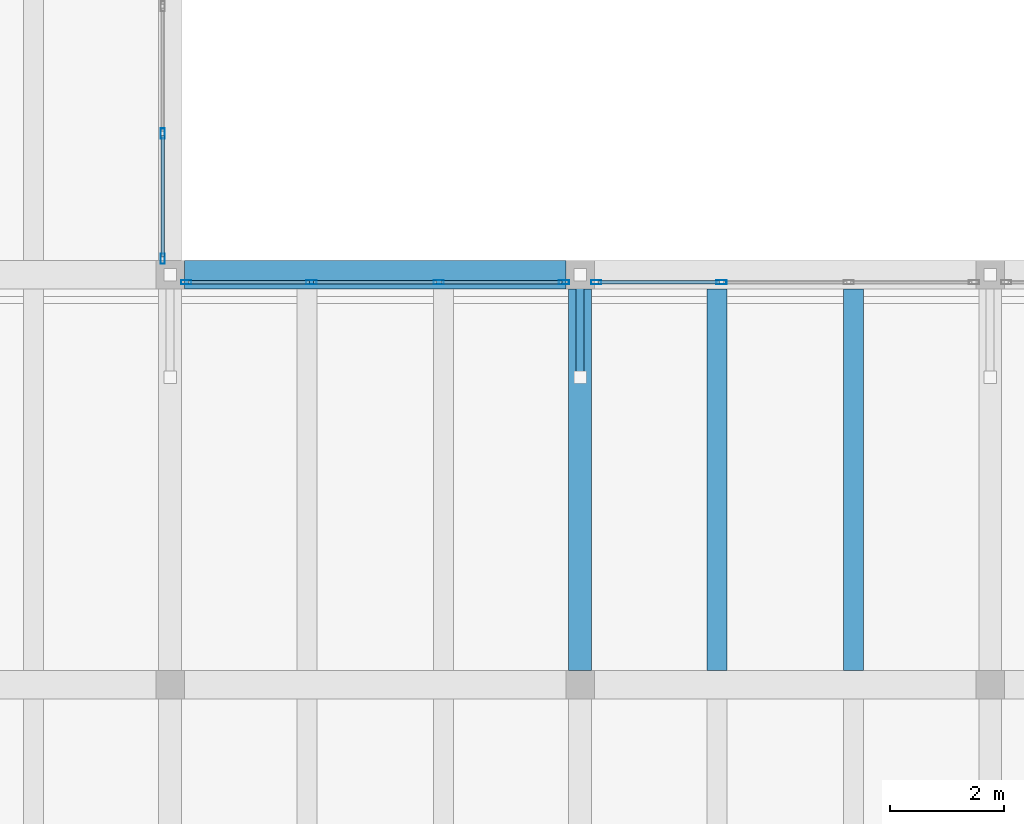
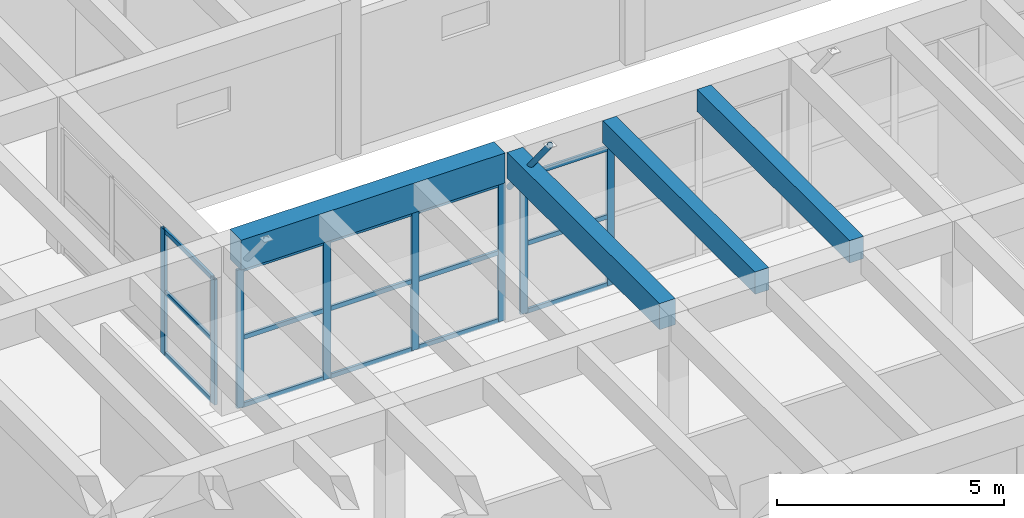
# One storey, part 70 of 153: 24 members, 4 beams, 3 elements without a shape of their own.
"""IFC4 building model written with IfcOpenShell, lengths in metres."""

from ifc_helpers import new_model, si_unit, direction, frame, origin, origin_2d, place, context, subcontext, project, spatial, rectangle, hollow_rectangle, hollow_circle, extrude, material, material_profile, profile_set, type_object, element, aggregate, save


model = new_model("IFC4")

# Units and contexts
model_context = context("Model", 3, precision=1e-05, world=origin(), true_north=direction((0.0, 1.0)))
body_context = subcontext(model_context, "Body", "Model", "MODEL_VIEW")
ifc_project = project(units=[si_unit("LENGTHUNIT", "METRE"), si_unit("AREAUNIT", "SQUARE_METRE"), si_unit("VOLUMEUNIT", "CUBIC_METRE"), si_unit("PLANEANGLEUNIT", "RADIAN"), si_unit("MASSUNIT", "GRAM", prefix="KILO")], contexts=[model_context])

# Site, building, storey
site_placement = place(None, origin())
site = spatial("IfcSite", under=ifc_project, at=site_placement, CompositionType="ELEMENT")
building_placement = place(site_placement, origin())
building = spatial("IfcBuilding", under=site, at=building_placement, Name="Bramvelor Terrace Health Centre", CompositionType="ELEMENT")
storey_placement = place(building_placement, frame((0.0, 0.0, 4.800048828125)))
storey = spatial("IfcBuildingStorey", under=building, at=storey_placement, Name="L02", CompositionType="ELEMENT", Elevation=4.800048828125)

# Beams
ifc_material_1 = material(Name="Concrete C40/50", Category="concrete")
ifc_material_profile_1 = material_profile(ifc_material_1, rectangle(XDim=0.39990234375, YDim=0.699951171875, at=origin_2d()), Name="RC 400x700")
ifc_profile_set_1 = profile_set([ifc_material_profile_1], Name="Concrete C40/50")
beam_type_1 = type_object("IfcBeamType", Name="BM-RC-G700", PredefinedType="BEAM", material=ifc_profile_set_1)
beam_1_placement = place(storey_placement, frame((57.60009765625, 72.25, 4.199951171875), z_axis=(0.0, 1.0, 0.0), x_axis=(-1.0, 0.0, 0.0)))
element("IfcBeam", 1, at=beam_1_placement, inside=storey, type_object=beam_type_1, Name="L02 Floor Girder", PredefinedType="BEAM", context=body_context, shape_type="SweptSolid", body=[
    extrude(rectangle(XDim=0.39990234375, YDim=0.699951171875, at=origin_2d()), origin(), (0.0, 0.0, 1.0), 6.699951171875),
])
ifc_material_2 = material(Name="Concrete C40/50", Category="concrete")
ifc_material_profile_2 = material_profile(ifc_material_2, rectangle(XDim=0.5, YDim=0.800048828125, at=origin_2d()), Name="RC 500x800")
ifc_profile_set_2 = profile_set([ifc_material_profile_2], Name="Concrete C40/50")
beam_type_2 = type_object("IfcBeamType", Name="BM-RC-G800", PredefinedType="BEAM", material=ifc_profile_set_2)
beam_2_placement = place(storey_placement, frame((50.64990234375, 79.199951171875, 4.14990234375), z_axis=(1.0, 0.0, 0.0), x_axis=(0.0, 1.0, 0.0)))
element("IfcBeam", 2, at=beam_2_placement, inside=storey, type_object=beam_type_2, Name="L02 Floor Girder", PredefinedType="BEAM", context=body_context, shape_type="SweptSolid", body=[
    extrude(rectangle(XDim=0.5, YDim=0.800048828125, at=origin_2d()), origin(), (0.0, 0.0, 1.0), 6.7001953125),
])
ifc_material_3 = material(Name="Concrete C40/50", Category="concrete")
ifc_material_profile_3 = material_profile(ifc_material_3, rectangle(XDim=0.35009765625, YDim=0.60009765625, at=origin_2d()), Name="RC 350x600")
ifc_profile_set_3 = profile_set([ifc_material_profile_3], Name="Concrete C40/50")
beam_type_3 = type_object("IfcBeamType", Name="BM-RC-J600", PredefinedType="JOIST", material=ifc_profile_set_3)
for number, where, z_axis, x_axis, name in (
    (3, (60.0, 72.25, 4.25), (0.0, 1.0, 0.0), (-1.0, 0.0, 0.0), "L02 Secondary Floor Joist"),
    (4, (62.39990234375, 72.25, 4.25), (0.0, 1.0, 0.0), (-1.0, 0.0, 0.0), "L02 Secondary Floor Joist"),
):
    element("IfcBeam", number, at=place(storey_placement, frame(where, z_axis=z_axis, x_axis=x_axis)), inside=storey, type_object=beam_type_3, Name=name, PredefinedType="JOIST", context=body_context, shape_type="SweptSolid", body=[
        extrude(rectangle(XDim=0.35009765625, YDim=0.60009765625, at=origin_2d()), origin(), (0.0, 0.0, 1.0), 6.699951171875),
    ])

# Curtain wall, members
ifc_material_4 = material(Name="Anodized aluminium and double low-E glass", Category="aluminium")
curtain_wall_type_1 = type_object("IfcCurtainWallType", Name="CW-SYS-16", PredefinedType="NOTDEFINED", material=ifc_material_4)
curtain_wall_1_placement = place(storey_placement, origin())
curtain_wall_1 = element("IfcCurtainWall", 5, at=curtain_wall_1_placement, inside=storey, type_object=curtain_wall_type_1, Name="L02 Unitized Curtain Wall 90", PredefinedType="NOTDEFINED")
ifc_material_5 = material(Name="Anodized aluminium 6063-T6", Category="aluminium")
ifc_material_profile_4 = material_profile(ifc_material_5, hollow_rectangle(XDim=0.074951171875, YDim=0.179931640625, WallThickness=0.00341796875, at=origin_2d()), Name="ALU-MUL 75x180x3.5")
ifc_profile_set_4 = profile_set([ifc_material_profile_4], Name="Anodized aluminium 6063-T6")
member_type_1 = type_object("IfcMemberType", Name="CW-MUL-65x180", PredefinedType="MULLION", material=ifc_profile_set_4)
member_1_placement = place(storey_placement, frame((50.27001953125, 81.681640625, 0.0), z_axis=(0.0, 0.0, 1.0), x_axis=(1.0, 0.0, 0.0)))
member_1 = element("IfcMember", 6, at=member_1_placement, type_object=member_type_1, Name="CW-16 mullion 3", PredefinedType="MULLION", context=body_context, shape_type="SweptSolid", body=[
    extrude(hollow_rectangle(XDim=0.074951171875, YDim=0.179931640625, WallThickness=0.00341796875, at=origin_2d()), origin(), (0.0, 0.0, 1.0), 3.35986328125),
])
member_2_placement = place(storey_placement, frame((50.27001953125, 79.482421875, 0.0), z_axis=(0.0, 0.0, 1.0), x_axis=(1.0, 0.0, 0.0)))
member_2 = element("IfcMember", 7, at=member_2_placement, type_object=member_type_1, Name="CW-16 mullion 4", PredefinedType="MULLION", context=body_context, shape_type="SweptSolid", body=[
    extrude(hollow_rectangle(XDim=0.074951171875, YDim=0.179931640625, WallThickness=0.00341796875, at=origin_2d()), origin(), (0.0, 0.0, 1.0), 3.35986328125),
])

ifc_material_6 = material(Name="Anodized aluminium and double low-E glass", Category="aluminium")
curtain_wall_type_2 = type_object("IfcCurtainWallType", Name="CW-SYS-17", PredefinedType="NOTDEFINED", material=ifc_material_6)
curtain_wall_2_placement = place(storey_placement, origin())
curtain_wall_2 = element("IfcCurtainWall", 8, at=curtain_wall_2_placement, inside=storey, type_object=curtain_wall_type_2, Name="L02 Unitized Curtain Wall 91", PredefinedType="NOTDEFINED")
member_3_placement = place(storey_placement, frame((50.6826171875, 79.070068359375, 0.0), z_axis=(0.0, 0.0, 1.0), x_axis=(0.0, 1.0, 0.0)))
member_3 = element("IfcMember", 9, at=member_3_placement, type_object=member_type_1, Name="CW-17 mullion 1", PredefinedType="MULLION", context=body_context, shape_type="SweptSolid", body=[
    extrude(hollow_rectangle(XDim=0.074951171875, YDim=0.179931640625, WallThickness=0.00341796875, at=origin_2d()), origin(), (0.0, 0.0, 1.0), 3.7099609375),
])
member_4_placement = place(storey_placement, frame((52.881591796875, 79.070068359375, 0.0), z_axis=(0.0, 0.0, 1.0), x_axis=(0.0, 1.0, 0.0)))
member_4 = element("IfcMember", 10, at=member_4_placement, type_object=member_type_1, Name="CW-17 mullion 2", PredefinedType="MULLION", context=body_context, shape_type="SweptSolid", body=[
    extrude(hollow_rectangle(XDim=0.074951171875, YDim=0.179931640625, WallThickness=0.00341796875, at=origin_2d()), origin(), (0.0, 0.0, 1.0), 3.7099609375),
])
member_5_placement = place(storey_placement, frame((55.118408203125, 79.070068359375, 0.0), z_axis=(0.0, 0.0, 1.0), x_axis=(0.0, 1.0, 0.0)))
member_5 = element("IfcMember", 11, at=member_5_placement, type_object=member_type_1, Name="CW-17 mullion 3", PredefinedType="MULLION", context=body_context, shape_type="SweptSolid", body=[
    extrude(hollow_rectangle(XDim=0.074951171875, YDim=0.179931640625, WallThickness=0.00341796875, at=origin_2d()), origin(), (0.0, 0.0, 1.0), 3.7099609375),
])
member_6_placement = place(storey_placement, frame((57.3173828125, 79.070068359375, 0.0), z_axis=(0.0, 0.0, 1.0), x_axis=(0.0, 1.0, 0.0)))
member_6 = element("IfcMember", 12, at=member_6_placement, type_object=member_type_1, Name="CW-17 mullion 4", PredefinedType="MULLION", context=body_context, shape_type="SweptSolid", body=[
    extrude(hollow_rectangle(XDim=0.074951171875, YDim=0.179931640625, WallThickness=0.00341796875, at=origin_2d()), origin(), (0.0, 0.0, 1.0), 3.7099609375),
])

curtain_wall_3_placement = place(storey_placement, origin())
curtain_wall_3 = element("IfcCurtainWall", 13, at=curtain_wall_3_placement, inside=storey, type_object=curtain_wall_type_2, Name="L02 Unitized Curtain Wall 92", PredefinedType="NOTDEFINED")
member_7_placement = place(storey_placement, frame((57.882568359375, 79.070068359375, 0.0), z_axis=(0.0, 0.0, 1.0), x_axis=(0.0, 1.0, 0.0)))
member_7 = element("IfcMember", 14, at=member_7_placement, type_object=member_type_1, Name="CW-17 mullion 1", PredefinedType="MULLION", context=body_context, shape_type="SweptSolid", body=[
    extrude(hollow_rectangle(XDim=0.074951171875, YDim=0.179931640625, WallThickness=0.00341796875, at=origin_2d()), origin(), (0.0, 0.0, 1.0), 3.7099609375),
])
member_8_placement = place(storey_placement, frame((60.081787109375, 79.070068359375, 0.0), z_axis=(0.0, 0.0, 1.0), x_axis=(0.0, 1.0, 0.0)))
member_8 = element("IfcMember", 15, at=member_8_placement, type_object=member_type_1, Name="CW-17 mullion 2", PredefinedType="MULLION", context=body_context, shape_type="SweptSolid", body=[
    extrude(hollow_rectangle(XDim=0.074951171875, YDim=0.179931640625, WallThickness=0.00341796875, at=origin_2d()), origin(), (0.0, 0.0, 1.0), 3.7099609375),
])

# Member
ifc_material_7 = material(Name="Anodized aluminium 6063-T6", Category="aluminium")
ifc_material_profile_5 = material_profile(ifc_material_7, hollow_rectangle(XDim=0.06494140625, YDim=0.1201171875, WallThickness=0.0029296875, at=origin_2d()), Name="ALU-TRN 65x120x3.0")
ifc_profile_set_5 = profile_set([ifc_material_profile_5], Name="Anodized aluminium 6063-T6")
member_type_2 = type_object("IfcMemberType", Name="CW-TRN-65x150", PredefinedType="USERDEFINED", material=ifc_profile_set_5)
member_9_placement = place(storey_placement, frame((50.27001953125, 81.644287109375, 0.032470703125), z_axis=(0.0, -1.0, 0.0), x_axis=(1.0, 0.0, 0.0)))
member_9 = element("IfcMember", 16, at=member_9_placement, type_object=member_type_2, Name="CW-16 transom 3.1", ObjectType="TRANSOM", PredefinedType="USERDEFINED", context=body_context, shape_type="SweptSolid", body=[
    extrude(hollow_rectangle(XDim=0.06494140625, YDim=0.1201171875, WallThickness=0.0029296875, at=origin_2d()), origin(), (0.0, 0.0, 1.0), 2.124267578125),
])

member_10_placement = place(storey_placement, frame((50.27001953125, 81.644287109375, 1.679931640625), z_axis=(0.0, -1.0, 0.0), x_axis=(1.0, 0.0, 0.0)))
member_10 = element("IfcMember", 17, at=member_10_placement, type_object=member_type_2, Name="CW-16 transom 3.2", ObjectType="TRANSOM", PredefinedType="USERDEFINED", context=body_context, shape_type="SweptSolid", body=[
    extrude(hollow_rectangle(XDim=0.06494140625, YDim=0.1201171875, WallThickness=0.0029296875, at=origin_2d()), origin(), (0.0, 0.0, 1.0), 2.124267578125),
])

member_11_placement = place(storey_placement, frame((50.27001953125, 81.644287109375, 3.327392578125), z_axis=(0.0, -1.0, 0.0), x_axis=(1.0, 0.0, 0.0)))
member_11 = element("IfcMember", 18, at=member_11_placement, type_object=member_type_2, Name="CW-16 transom 3.3", ObjectType="TRANSOM", PredefinedType="USERDEFINED", context=body_context, shape_type="SweptSolid", body=[
    extrude(hollow_rectangle(XDim=0.06494140625, YDim=0.1201171875, WallThickness=0.0029296875, at=origin_2d()), origin(), (0.0, 0.0, 1.0), 2.124267578125),
])

aggregate(curtain_wall_1, [member_1, member_2, member_9, member_10, member_11])

member_12_placement = place(storey_placement, frame((50.719970703125, 79.070068359375, 0.032470703125), z_axis=(1.0, 0.0, 0.0), x_axis=(0.0, 1.0, 0.0)))
member_12 = element("IfcMember", 19, at=member_12_placement, type_object=member_type_2, Name="CW-17 transom 1.1", ObjectType="TRANSOM", PredefinedType="USERDEFINED", context=body_context, shape_type="SweptSolid", body=[
    extrude(hollow_rectangle(XDim=0.06494140625, YDim=0.1201171875, WallThickness=0.0029296875, at=origin_2d()), origin(), (0.0, 0.0, 1.0), 2.124267578125),
])

member_13_placement = place(storey_placement, frame((50.719970703125, 79.070068359375, 1.85498046875), z_axis=(1.0, 0.0, 0.0), x_axis=(0.0, 1.0, 0.0)))
member_13 = element("IfcMember", 20, at=member_13_placement, type_object=member_type_2, Name="CW-17 transom 1.2", ObjectType="TRANSOM", PredefinedType="USERDEFINED", context=body_context, shape_type="SweptSolid", body=[
    extrude(hollow_rectangle(XDim=0.06494140625, YDim=0.1201171875, WallThickness=0.0029296875, at=origin_2d()), origin(), (0.0, 0.0, 1.0), 2.124267578125),
])

member_14_placement = place(storey_placement, frame((50.719970703125, 79.070068359375, 3.677490234375), z_axis=(1.0, 0.0, 0.0), x_axis=(0.0, 1.0, 0.0)))
member_14 = element("IfcMember", 21, at=member_14_placement, type_object=member_type_2, Name="CW-17 transom 1.3", ObjectType="TRANSOM", PredefinedType="USERDEFINED", context=body_context, shape_type="SweptSolid", body=[
    extrude(hollow_rectangle(XDim=0.06494140625, YDim=0.1201171875, WallThickness=0.0029296875, at=origin_2d()), origin(), (0.0, 0.0, 1.0), 2.124267578125),
])

member_15_placement = place(storey_placement, frame((52.919189453125, 79.070068359375, 0.032470703125), z_axis=(1.0, 0.0, 0.0), x_axis=(0.0, 1.0, 0.0)))
member_15 = element("IfcMember", 22, at=member_15_placement, type_object=member_type_2, Name="CW-17 transom 2.1", ObjectType="TRANSOM", PredefinedType="USERDEFINED", context=body_context, shape_type="SweptSolid", body=[
    extrude(hollow_rectangle(XDim=0.06494140625, YDim=0.1201171875, WallThickness=0.0029296875, at=origin_2d()), origin(), (0.0, 0.0, 1.0), 2.16162109375),
])

member_16_placement = place(storey_placement, frame((52.919189453125, 79.070068359375, 1.85498046875), z_axis=(1.0, 0.0, 0.0), x_axis=(0.0, 1.0, 0.0)))
member_16 = element("IfcMember", 23, at=member_16_placement, type_object=member_type_2, Name="CW-17 transom 2.2", ObjectType="TRANSOM", PredefinedType="USERDEFINED", context=body_context, shape_type="SweptSolid", body=[
    extrude(hollow_rectangle(XDim=0.06494140625, YDim=0.1201171875, WallThickness=0.0029296875, at=origin_2d()), origin(), (0.0, 0.0, 1.0), 2.16162109375),
])

member_17_placement = place(storey_placement, frame((52.919189453125, 79.070068359375, 3.677490234375), z_axis=(1.0, 0.0, 0.0), x_axis=(0.0, 1.0, 0.0)))
member_17 = element("IfcMember", 24, at=member_17_placement, type_object=member_type_2, Name="CW-17 transom 2.3", ObjectType="TRANSOM", PredefinedType="USERDEFINED", context=body_context, shape_type="SweptSolid", body=[
    extrude(hollow_rectangle(XDim=0.06494140625, YDim=0.1201171875, WallThickness=0.0029296875, at=origin_2d()), origin(), (0.0, 0.0, 1.0), 2.16162109375),
])

member_18_placement = place(storey_placement, frame((55.15576171875, 79.070068359375, 0.032470703125), z_axis=(1.0, 0.0, 0.0), x_axis=(0.0, 1.0, 0.0)))
member_18 = element("IfcMember", 25, at=member_18_placement, type_object=member_type_2, Name="CW-17 transom 3.1", ObjectType="TRANSOM", PredefinedType="USERDEFINED", context=body_context, shape_type="SweptSolid", body=[
    extrude(hollow_rectangle(XDim=0.06494140625, YDim=0.1201171875, WallThickness=0.0029296875, at=origin_2d()), origin(), (0.0, 0.0, 1.0), 2.124267578125),
])

member_19_placement = place(storey_placement, frame((55.15576171875, 79.070068359375, 1.85498046875), z_axis=(1.0, 0.0, 0.0), x_axis=(0.0, 1.0, 0.0)))
member_19 = element("IfcMember", 26, at=member_19_placement, type_object=member_type_2, Name="CW-17 transom 3.2", ObjectType="TRANSOM", PredefinedType="USERDEFINED", context=body_context, shape_type="SweptSolid", body=[
    extrude(hollow_rectangle(XDim=0.06494140625, YDim=0.1201171875, WallThickness=0.0029296875, at=origin_2d()), origin(), (0.0, 0.0, 1.0), 2.124267578125),
])

member_20_placement = place(storey_placement, frame((55.15576171875, 79.070068359375, 3.677490234375), z_axis=(1.0, 0.0, 0.0), x_axis=(0.0, 1.0, 0.0)))
member_20 = element("IfcMember", 27, at=member_20_placement, type_object=member_type_2, Name="CW-17 transom 3.3", ObjectType="TRANSOM", PredefinedType="USERDEFINED", context=body_context, shape_type="SweptSolid", body=[
    extrude(hollow_rectangle(XDim=0.06494140625, YDim=0.1201171875, WallThickness=0.0029296875, at=origin_2d()), origin(), (0.0, 0.0, 1.0), 2.124267578125),
])

aggregate(curtain_wall_2, [member_3, member_4, member_5, member_6, member_12, member_13, member_14, member_15, member_16, member_17, member_18, member_19, member_20])

member_21_placement = place(storey_placement, frame((57.919921875, 79.070068359375, 0.032470703125), z_axis=(1.0, 0.0, 0.0), x_axis=(0.0, 1.0, 0.0)))
member_21 = element("IfcMember", 28, at=member_21_placement, type_object=member_type_2, Name="CW-17 transom 1.1", ObjectType="TRANSOM", PredefinedType="USERDEFINED", context=body_context, shape_type="SweptSolid", body=[
    extrude(hollow_rectangle(XDim=0.06494140625, YDim=0.1201171875, WallThickness=0.0029296875, at=origin_2d()), origin(), (0.0, 0.0, 1.0), 2.124267578125),
])

member_22_placement = place(storey_placement, frame((57.919921875, 79.070068359375, 1.85498046875), z_axis=(1.0, 0.0, 0.0), x_axis=(0.0, 1.0, 0.0)))
member_22 = element("IfcMember", 29, at=member_22_placement, type_object=member_type_2, Name="CW-17 transom 1.2", ObjectType="TRANSOM", PredefinedType="USERDEFINED", context=body_context, shape_type="SweptSolid", body=[
    extrude(hollow_rectangle(XDim=0.06494140625, YDim=0.1201171875, WallThickness=0.0029296875, at=origin_2d()), origin(), (0.0, 0.0, 1.0), 2.124267578125),
])

member_23_placement = place(storey_placement, frame((57.919921875, 79.070068359375, 3.677490234375), z_axis=(1.0, 0.0, 0.0), x_axis=(0.0, 1.0, 0.0)))
member_23 = element("IfcMember", 30, at=member_23_placement, type_object=member_type_2, Name="CW-17 transom 1.3", ObjectType="TRANSOM", PredefinedType="USERDEFINED", context=body_context, shape_type="SweptSolid", body=[
    extrude(hollow_rectangle(XDim=0.06494140625, YDim=0.1201171875, WallThickness=0.0029296875, at=origin_2d()), origin(), (0.0, 0.0, 1.0), 2.124267578125),
])

aggregate(curtain_wall_3, [member_7, member_8, member_21, member_22, member_23])

ifc_material_8 = material(Name="Steel S355J2", Category="steel")
ifc_material_profile_6 = material_profile(ifc_material_8, hollow_circle(Radius=0.06982421875, WallThickness=0.0048828125, at=origin_2d()), Name="CHS 139.7x5.0")
ifc_profile_set_6 = profile_set([ifc_material_profile_6], Name="Steel S355J2")
member_type_3 = type_object("IfcMemberType", Name="MEM-STL-CHS139", PredefinedType="STRUT", material=ifc_profile_set_6)
member_24_placement = place(storey_placement, frame((57.60009765625, 79.199951171875, 3.39990234375), z_axis=(0.0, -0.62952484871, 0.776980350367), x_axis=(1.0, 0.0, 0.0)))
element("IfcMember", 31, at=member_24_placement, inside=storey, type_object=member_type_3, Name="Waiting Hall Storm-Eave Knee Strut N3", PredefinedType="STRUT", context=body_context, shape_type="SweptSolid", body=[
    extrude(hollow_circle(Radius=0.06982421875, WallThickness=0.0048828125, at=origin_2d()), origin(), (0.0, 0.0, 1.0), 2.859375),
])

save(model, "model.ifc")
